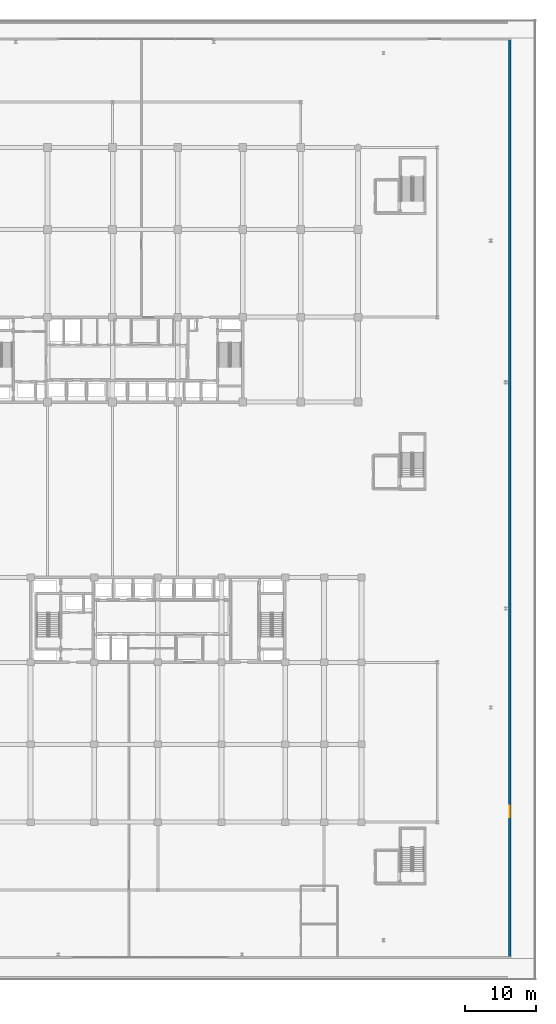
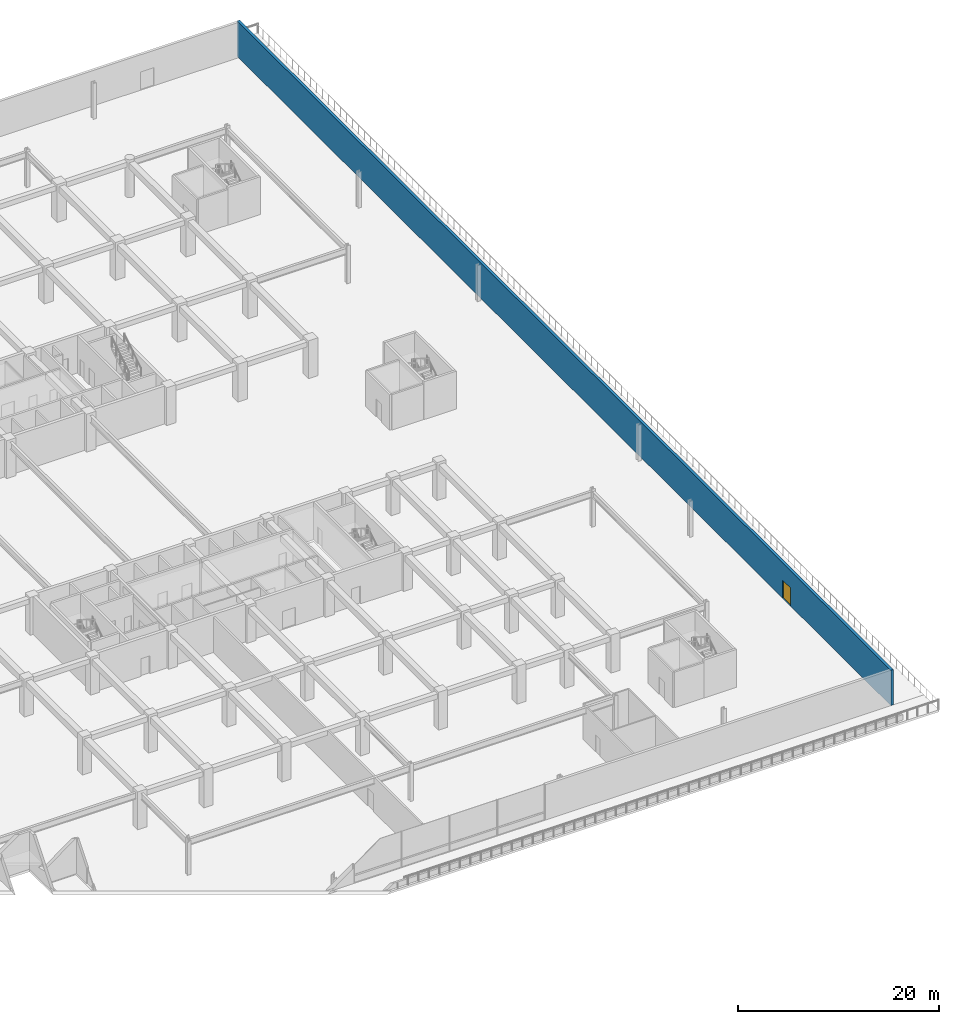
# One storey, part 27 of 45: 1 door, 1 wall, 1 opening.
"""IFC4 building model written with IfcOpenShell, lengths in metres."""

import ifcopenshell
import ifcopenshell.guid

model = None  # the IFC model being written
_history = None  # IfcOwnerHistory: only IFC2X3 demands one
_inside = {}  # id of a spatial element -> (the spatial element, [elements in it])
_under = {}  # id of a project, library or spatial element -> (it, [spatial elements below it])
_declared = {}  # id of a project -> (the project, [libraries it declares])
_typed = {}  # id of a type object -> (the type object, [elements of that type])
_made_of = {}  # id of a material, layer set ... -> (it, [elements and type objects made of it])


def new_model(schema):
    """Start an empty IFC model of exactly this schema.

    Asked for "IFC4X3", IfcOpenShell would pick the latest addendum, in which some entities
    have other attributes; the version numbers below select the first issue.
    IFC2X3 requires an IfcOwnerHistory on every rooted entity: one is made here for all.
    """
    global model, _history
    if schema == "IFC4X3":
        model = ifcopenshell.file(schema_version=(4, 3, 0, 0))
    else:
        model = ifcopenshell.file(schema=schema)
    _inside.clear()
    _under.clear()
    _declared.clear()
    _typed.clear()
    _made_of.clear()
    _history = None
    if model.schema == "IFC2X3":
        org = make("IfcOrganization", Name="unknown")
        user = make(
            "IfcPersonAndOrganization",
            ThePerson=make("IfcPerson", FamilyName="unknown"),
            TheOrganization=org,
        )
        app = make(
            "IfcApplication",
            ApplicationDeveloper=org,
            Version="unknown",
            ApplicationFullName="unknown",
            ApplicationIdentifier="unknown",
        )
        _history = make(
            "IfcOwnerHistory",
            OwningUser=user,
            OwningApplication=app,
            ChangeAction="ADDED",
            CreationDate=0,
        )
    return model


def make(cls, **values):
    """One entity of the class cls with the attributes given. An attribute that is None is left unset."""
    return model.create_entity(
        cls, **{name: value for name, value in values.items() if value is not None}
    )


def rooted(cls, **values):
    """An entity with a GlobalId (a new one), such as an element, a storey or a relation."""
    return make(cls, GlobalId=ifcopenshell.guid.new(), OwnerHistory=_history, **values)


def si_unit(unit_type, name, prefix=None):
    """IfcSIUnit, for example si_unit("LENGTHUNIT", "METRE", prefix="MILLI")."""
    return make("IfcSIUnit", UnitType=unit_type, Prefix=prefix, Name=name)


def assignment(units):
    """IfcUnitAssignment: the units of a project."""
    return None if units is None else make("IfcUnitAssignment", Units=units)


def point(xyz):
    """IfcCartesianPoint."""
    return None if xyz is None else make("IfcCartesianPoint", Coordinates=xyz)


def direction(xyz):
    """IfcDirection."""
    return None if xyz is None else make("IfcDirection", DirectionRatios=xyz)


def frame(location, z_axis=None, x_axis=None):
    """IfcAxis2Placement3D, a coordinate frame: its origin and axes. An axis left out is left unset."""
    return make(
        "IfcAxis2Placement3D",
        Location=point(location),
        Axis=direction(z_axis),
        RefDirection=direction(x_axis),
    )


def frame_2d(location, x_axis=None):
    """IfcAxis2Placement2D, a coordinate frame in the plane: its origin and x axis."""
    return make(
        "IfcAxis2Placement2D", Location=point(location), RefDirection=direction(x_axis)
    )


def origin():
    """The frame at (0, 0, 0) with its axes left unset."""
    return frame((0.0, 0.0, 0.0))


def place(relative_to, where):
    """IfcLocalPlacement: puts the frame where relative to a parent placement (None: the world)."""
    return make(
        "IfcLocalPlacement", PlacementRelTo=relative_to, RelativePlacement=where
    )


def context(
    kind, dimensions, precision=None, world=None, true_north=None, identifier=None
):
    """IfcGeometricRepresentationContext, for example the 3D "Model" context."""
    return make(
        "IfcGeometricRepresentationContext",
        ContextIdentifier=identifier,
        ContextType=kind,
        CoordinateSpaceDimension=dimensions,
        Precision=precision,
        WorldCoordinateSystem=world,
        TrueNorth=true_north,
    )


def subcontext(parent, identifier, kind, view, scale=None):
    """IfcGeometricRepresentationSubContext, for example "Body" below "Model"."""
    return make(
        "IfcGeometricRepresentationSubContext",
        ContextIdentifier=identifier,
        ContextType=kind,
        ParentContext=parent,
        TargetScale=scale,
        TargetView=view,
    )


def project(units=None, contexts=None):
    """IfcProject with its units and contexts."""
    return rooted(
        "IfcProject",
        Name="project",
        RepresentationContexts=contexts,
        UnitsInContext=assignment(units),
    )


def spatial(cls, under=None, at=None, **own):
    """A site, building, storey or space (cls), placed at a placement, below another one or the project."""
    s = rooted(cls, ObjectPlacement=at, **own)
    if under is not None:
        _under.setdefault(under.id(), (under, []))[1].append(s)
    return s


def profile(cls, at=None, kind="AREA", **sizes):
    """A parametric profile (cls). Its sizes go by their IFC names, for example OverallWidth=200.0."""
    return make(cls, ProfileType=kind, Position=at, **sizes)


def rectangle(**sizes):
    """IfcRectangleProfileDef."""
    return profile("IfcRectangleProfileDef", **sizes)


def extrude(swept, where, along, depth):
    """IfcExtrudedAreaSolid: the profile swept, set in the frame where, extruded along a direction by depth."""
    return make(
        "IfcExtrudedAreaSolid",
        SweptArea=swept,
        Position=where,
        ExtrudedDirection=direction(along),
        Depth=depth,
    )


def shape(context_of_items, identifier, shape_type, items):
    """IfcShapeRepresentation: the items that make up one representation, for example the "Body"."""
    return make(
        "IfcShapeRepresentation",
        ContextOfItems=context_of_items,
        RepresentationIdentifier=identifier,
        RepresentationType=shape_type,
        Items=items,
    )


def material(Name=None, Category=None):
    """IfcMaterial."""
    return make("IfcMaterial", Name=Name, Category=Category)


def layer(
    of_material, thickness, ventilated=None, Name=None, Category=None, Priority=None
):
    """IfcMaterialLayer: one layer of a wall or slab, of a material (None: an air gap)."""
    return make(
        "IfcMaterialLayer",
        Material=of_material,
        LayerThickness=thickness,
        IsVentilated=ventilated,
        Name=Name,
        Category=Category,
        Priority=Priority,
    )


def layer_set(layers, Name=None):
    """IfcMaterialLayerSet."""
    return make("IfcMaterialLayerSet", MaterialLayers=layers, LayerSetName=Name)


def made_of(thing, what):
    """Note that an element or type object is made of a material, layer set ...; save() writes the relation."""
    if what is not None:
        _made_of.setdefault(what.id(), (what, []))[1].append(thing)
    return thing


def type_object(cls, material=None, **own):
    """A type object (cls), such as IfcWallType, which elements share."""
    return made_of(rooted(cls, **own), material)


def element(
    cls,
    number,
    at=None,
    inside=None,
    cuts=None,
    type_object=None,
    material=None,
    context=None,
    identifier="Body",
    shape_type=None,
    held_by="IfcProductDefinitionShape",
    body=None,
    shapes=None,
    **own,
):
    """One element of the class cls, such as IfcWall. Its Tag is "e" and its number.

    at: its placement. inside: the storey or other place that contains it. cuts: it is an
    opening in that element (IfcRelVoidsElement). A single representation is given by context,
    identifier, shape_type and body (its items); several are given by shapes. held_by: the class
    of the entity that holds the representations. save() writes the other relations.
    """
    e = rooted(cls, Tag="e%d" % number, ObjectPlacement=at, **own)
    if body is not None:
        shapes = [shape(context, identifier, shape_type, body)]
    if shapes is not None:
        e.Representation = make(held_by, Representations=shapes)
    if inside is not None:
        _inside.setdefault(inside.id(), (inside, []))[1].append(e)
    if cuts is not None:
        rooted(
            "IfcRelVoidsElement", RelatingBuildingElement=cuts, RelatedOpeningElement=e
        )
    if type_object is not None:
        _typed.setdefault(type_object.id(), (type_object, []))[1].append(e)
    return made_of(e, material)


def fill(opening, filler):
    """IfcRelFillsElement: the door or window that sits in an opening."""
    return rooted(
        "IfcRelFillsElement",
        RelatingOpeningElement=opening,
        RelatedBuildingElement=filler,
    )


def aggregate(whole, parts):
    """IfcRelAggregates: a whole, such as a stair, and the parts it consists of."""
    return rooted("IfcRelAggregates", RelatingObject=whole, RelatedObjects=parts)


def save(model, path):
    """Write the relations noted so far, then the file.

    IfcRelAggregates (storeys below a building ...), IfcRelContainedInSpatialStructure (elements
    in a storey), IfcRelDefinesByType, IfcRelAssociatesMaterial and IfcRelDeclares: one each for
    every whole, place, type object, material and project.
    """
    for whole, parts in _under.values():
        aggregate(whole, parts)
    for where, things in _inside.values():
        rooted(
            "IfcRelContainedInSpatialStructure",
            RelatedElements=things,
            RelatingStructure=where,
        )
    for kind, things in _typed.values():
        rooted("IfcRelDefinesByType", RelatedObjects=things, RelatingType=kind)
    for what, things in _made_of.values():
        rooted("IfcRelAssociatesMaterial", RelatedObjects=things, RelatingMaterial=what)
    for by, libraries in _declared.values():
        rooted("IfcRelDeclares", RelatingContext=by, RelatedDefinitions=libraries)
    model.write(path)


model = new_model("IFC4")

# Units and contexts
model_context = context("Model", 3, precision=1e-05, world=origin(), true_north=direction((0.0, 1.0)))
body_context = subcontext(model_context, "Body", "Model", "MODEL_VIEW")
ifc_project = project(units=[si_unit("LENGTHUNIT", "METRE"), si_unit("AREAUNIT", "SQUARE_METRE"), si_unit("VOLUMEUNIT", "CUBIC_METRE"), si_unit("PLANEANGLEUNIT", "RADIAN"), si_unit("MASSUNIT", "GRAM", prefix="KILO")], contexts=[model_context])

# Site, building, storey
site_placement = place(None, origin())
site = spatial("IfcSite", under=ifc_project, at=site_placement, CompositionType="ELEMENT")
building_placement = place(site_placement, origin())
building = spatial("IfcBuilding", under=site, at=building_placement, Name="Korimba Cascade Residences", CompositionType="ELEMENT")
storey_placement = place(building_placement, frame((0.0, 0.0, 5.39990234375)))
storey = spatial("IfcBuildingStorey", under=building, at=storey_placement, Name="L01", CompositionType="ELEMENT", Elevation=5.39990234375)

# Wall, opening, door
ifc_material_1 = material(Name="Precast concrete C40/50", Category="concrete")
ifc_layer = layer(ifc_material_1, 0.300048828125)
ifc_layer_set = layer_set([ifc_layer], Name="Precast concrete C40/50")
wall_type = type_object("IfcWallType", Name="EW-STONE-300", PredefinedType="STANDARD", material=ifc_layer_set)
wall_placement = place(storey_placement, frame((149.85009765625, -23.5, 0.0), z_axis=(0.0, 0.0, 1.0), x_axis=(0.0, 1.0, 0.0)))
wall = element("IfcWall", 1, at=wall_placement, inside=storey, type_object=wall_type, Name="L01 East Podium Wall", PredefinedType="STANDARD", context=body_context, shape_type="SweptSolid", body=[
    extrude(rectangle(XDim=130.199951171875, YDim=0.300048828125, at=frame_2d((65.10009765625, 0.0))), origin(), (0.0, 0.0, 1.0), 4.300048828125),
])
opening_placement = place(wall_placement, frame((20.0, 0.0, 0.0)))
opening = element("IfcOpeningElement", 2, at=opening_placement, cuts=wall, Name="Opening D-TR1", PredefinedType="OPENING", context=body_context, shape_type="SweptSolid", body=[
    extrude(rectangle(XDim=1.60009765625, YDim=2.199951171875, at=frame_2d((0.800048828125, 1.10009765625))), frame((0.0, 0.16015625, 0.0), z_axis=(0.0, -1.0, 0.0), x_axis=(1.0, 0.0, 0.0)), (0.0, 0.0, 1.0), 0.320068359375),
])
ifc_material_2 = material(Name="Glazed Aluminium Terrace Door", Category="aluminium")
door_type = type_object("IfcDoorType", Name="DR-EXT-TER", OperationType="NOTDEFINED", PredefinedType="DOOR", material=ifc_material_2)
door_placement = place(opening_placement, frame((1.60009765625, 0.0, 0.0), z_axis=(0.0, 0.0, 1.0), x_axis=(-1.0, 0.0, 0.0)))
door = element("IfcDoor", 3, at=door_placement, inside=storey, type_object=door_type, Name="L01 East Terrace Access Door", OperationType="DOUBLE_DOOR_SINGLE_SWING", OverallHeight=2.199951171875, OverallWidth=1.60009765625, PredefinedType="DOOR", context=body_context, shape_type="SweptSolid", body=[
    extrude(rectangle(XDim=1.60009765625, YDim=2.199951171875, at=frame_2d((0.800048828125, 1.10009765625))), frame((0.0, 0.02490234375, 0.0), z_axis=(0.0, -1.0, 0.0), x_axis=(1.0, 0.0, 0.0)), (0.0, 0.0, 1.0), 0.050048828125),
])
fill(opening, door)

save(model, "model.ifc")
